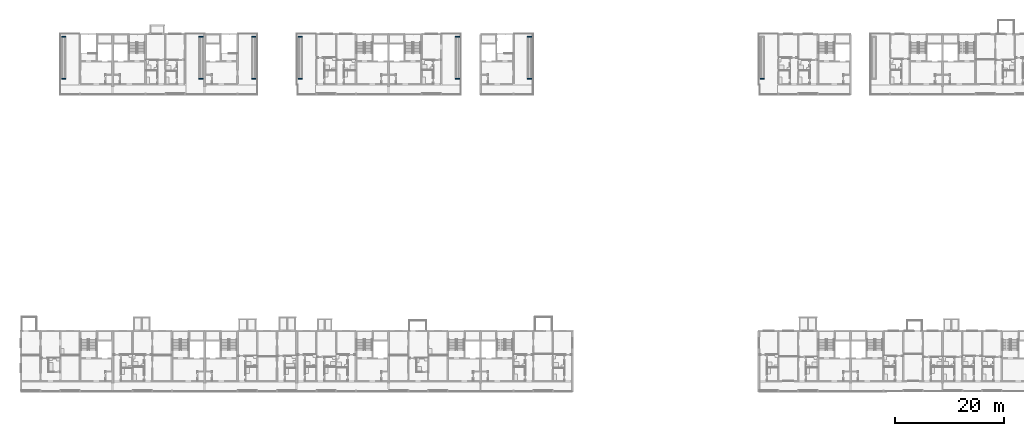
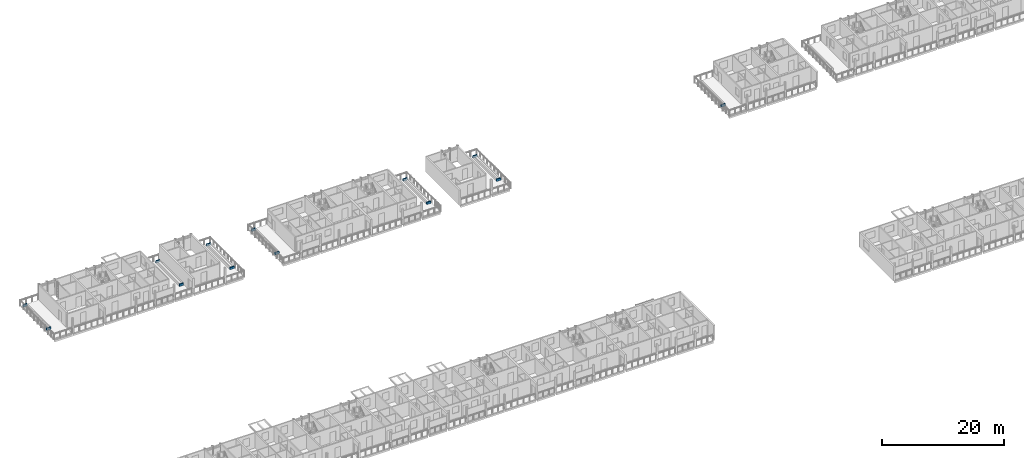
# One storey, part 60 of 94: 13 walls.
"""IFC4 building model written with IfcOpenShell, lengths in metres."""

from ifc_helpers import new_model, si_unit, direction, frame, frame_2d, origin, place, context, subcontext, project, spatial, rectangle, extrude, material, layer, layer_set, type_object, element, save


model = new_model("IFC4")

# Units and contexts
model_context = context("Model", 3, precision=1e-05, world=origin(), true_north=direction((0.0, 1.0)))
body_context = subcontext(model_context, "Body", "Model", "MODEL_VIEW")
ifc_project = project(units=[si_unit("LENGTHUNIT", "METRE"), si_unit("AREAUNIT", "SQUARE_METRE"), si_unit("VOLUMEUNIT", "CUBIC_METRE"), si_unit("PLANEANGLEUNIT", "RADIAN"), si_unit("MASSUNIT", "GRAM", prefix="KILO")], contexts=[model_context])

# Site, building, storey
site_placement = place(None, origin())
site = spatial("IfcSite", under=ifc_project, at=site_placement, CompositionType="ELEMENT")
building_placement = place(site_placement, origin())
building = spatial("IfcBuilding", under=site, at=building_placement, Name="Ridgestep Commons", CompositionType="ELEMENT")
storey_placement = place(building_placement, frame((0.0, 0.0, 24.0)))
storey = spatial("IfcBuildingStorey", under=building, at=storey_placement, Name="L08", CompositionType="ELEMENT", Elevation=24.0)

# Walls
ifc_material = material(Name="Facing brick", Category="masonry")
ifc_layer = layer(ifc_material, 0.199951171875)
ifc_layer_set = layer_set([ifc_layer], Name="Planter wall 200")
wall_type = type_object("IfcWallType", Name="Planter wall 200", PredefinedType="SOLIDWALL", material=ifc_layer_set)
for number, where, z_axis, x_axis, name in (
    (1, (19.449951171875, 68.89990234375, 0.010009765625), (0.0, 0.0, 1.0), (1.0, 0.0, 0.0), "Planter wall B1R3S"),
    (2, (19.449951171875, 76.60009765625, 0.010009765625), (0.0, 0.0, 1.0), (1.0, 0.0, 0.0), "Planter wall B1R3N"),
    (3, (44.550048828125, 68.89990234375, 0.010009765625), (0.0, 0.0, 1.0), (1.0, 0.0, 0.0), "Planter wall B2R1S"),
    (4, (44.550048828125, 76.60009765625, 0.010009765625), (0.0, 0.0, 1.0), (1.0, 0.0, 0.0), "Planter wall B2R1N"),
    (5, (54.14990234375, 68.89990234375, 0.010009765625), (0.0, 0.0, 1.0), (1.0, 0.0, 0.0), "Planter wall B3R3S"),
    (6, (54.14990234375, 76.60009765625, 0.010009765625), (0.0, 0.0, 1.0), (1.0, 0.0, 0.0), "Planter wall B3R3N"),
    (7, (62.64990234375, 68.89990234375, 0.010009765625), (0.0, 0.0, 1.0), (1.0, 0.0, 0.0), "Planter wall B4R1S"),
    (8, (62.64990234375, 76.60009765625, 0.010009765625), (0.0, 0.0, 1.0), (1.0, 0.0, 0.0), "Planter wall B4R1N"),
):
    element("IfcWall", number, at=place(storey_placement, frame(where, z_axis=z_axis, x_axis=x_axis)), inside=storey, type_object=wall_type, Name=name, PredefinedType="SOLIDWALL", context=body_context, shape_type="SweptSolid", body=[
        extrude(rectangle(XDim=0.800048828125, YDim=0.199951171875, at=frame_2d((0.39990234375, 0.0))), origin(), (0.0, 0.0, 1.0), 0.449951171875),
    ])
for number, where, z_axis, x_axis, name in (
    (9, (91.35009765625, 68.89990234375, 0.010009765625), (0.0, 0.0, 1.0), (1.0, 0.0, 0.0), "Planter wall B5R2S"),
    (10, (91.35009765625, 76.60009765625, 0.010009765625), (0.0, 0.0, 1.0), (1.0, 0.0, 0.0), "Planter wall B5R2N"),
):
    element("IfcWall", number, at=place(storey_placement, frame(where, z_axis=z_axis, x_axis=x_axis)), inside=storey, type_object=wall_type, Name=name, PredefinedType="SOLIDWALL", context=body_context, shape_type="SweptSolid", body=[
        extrude(rectangle(XDim=0.7998046875, YDim=0.199951171875, at=frame_2d((0.39990234375, 0.0))), origin(), (0.0, 0.0, 1.0), 0.449951171875),
    ])
for number, where, z_axis, x_axis, name in (
    (11, (104.550048828125, 68.89990234375, 0.010009765625), (0.0, 0.0, 1.0), (1.0, 0.0, 0.0), "Planter wall B6R3S"),
    (12, (104.550048828125, 76.60009765625, 0.010009765625), (0.0, 0.0, 1.0), (1.0, 0.0, 0.0), "Planter wall B6R3N"),
    (13, (147.050048828125, 68.89990234375, 0.010009765625), (0.0, 0.0, 1.0), (1.0, 0.0, 0.0), "Planter wall C1R1S"),
):
    element("IfcWall", number, at=place(storey_placement, frame(where, z_axis=z_axis, x_axis=x_axis)), inside=storey, type_object=wall_type, Name=name, PredefinedType="SOLIDWALL", context=body_context, shape_type="SweptSolid", body=[
        extrude(rectangle(XDim=0.800048828125, YDim=0.199951171875, at=frame_2d((0.39990234375, 0.0))), origin(), (0.0, 0.0, 1.0), 0.449951171875),
    ])

save(model, "model.ifc")
